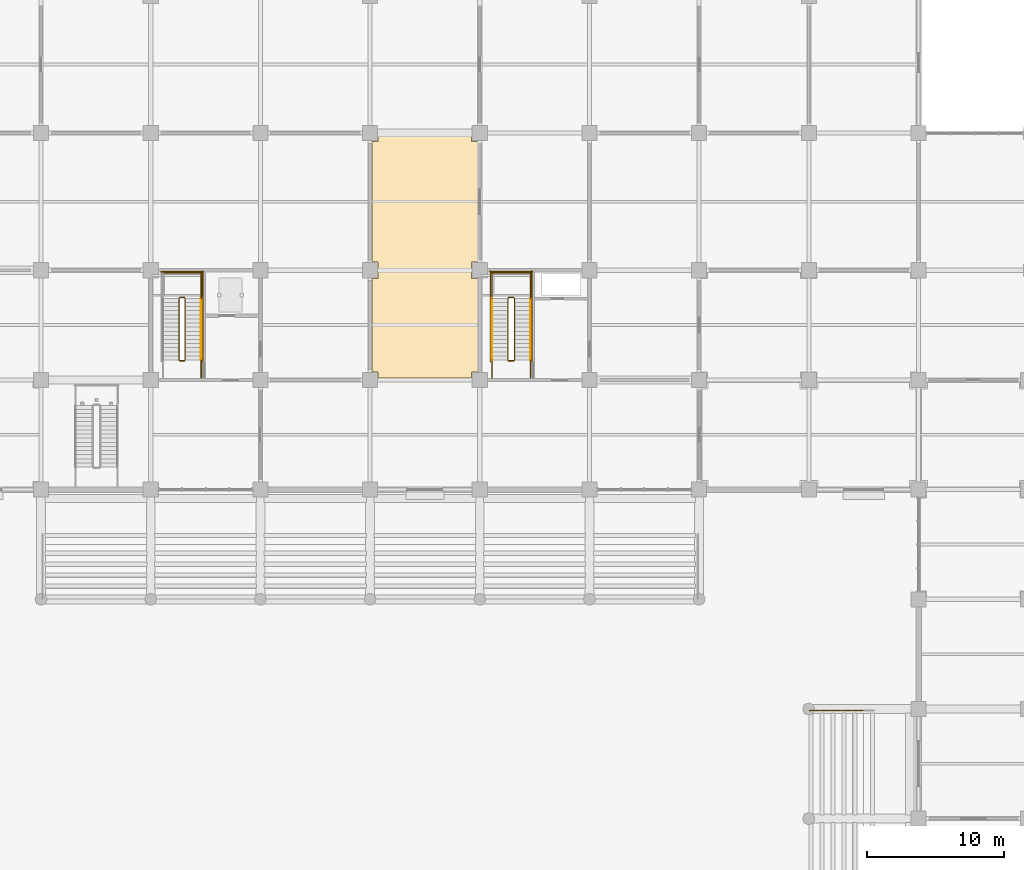
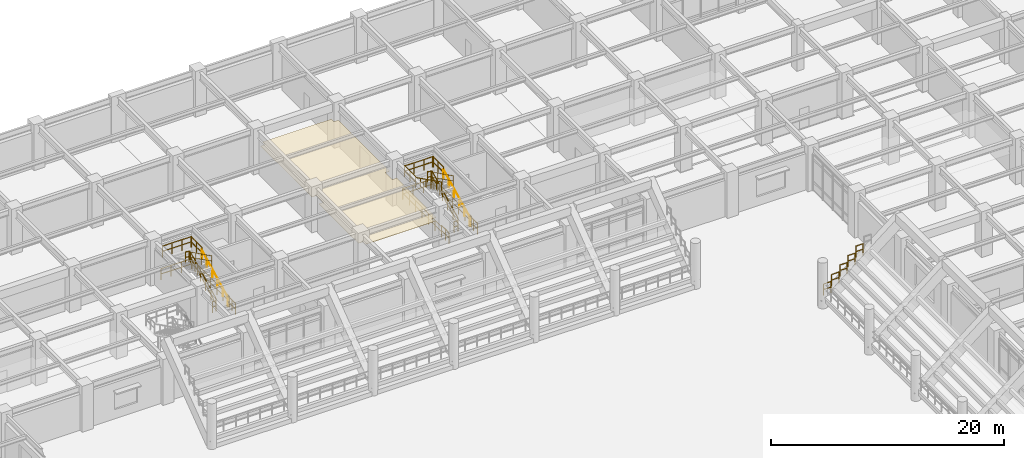
# One storey, part 122 of 125: 29 railings, 1 covering.
"""IFC4 building model written with IfcOpenShell, lengths in metres."""

from ifc_helpers import new_model, si_unit, direction, frame, origin, origin_2d, place, context, subcontext, project, spatial, polyline, circle, outline, extrude, material, layer, layer_set, type_object, element, save


model = new_model("IFC4")

# Units and contexts
model_context = context("Model", 3, precision=1e-05, world=origin(), true_north=direction((0.0, 1.0)))
body_context = subcontext(model_context, "Body", "Model", "MODEL_VIEW")
ifc_project = project(units=[si_unit("LENGTHUNIT", "METRE"), si_unit("AREAUNIT", "SQUARE_METRE"), si_unit("VOLUMEUNIT", "CUBIC_METRE"), si_unit("PLANEANGLEUNIT", "RADIAN"), si_unit("MASSUNIT", "GRAM", prefix="KILO")], contexts=[model_context])

# Site, building, storey
site_placement = place(None, origin())
site = spatial("IfcSite", under=ifc_project, at=site_placement, CompositionType="ELEMENT")
building_placement = place(site_placement, origin())
building = spatial("IfcBuilding", under=site, at=building_placement, Name="Haebicheon Civic Stadium", CompositionType="ELEMENT")
storey_placement = place(building_placement, origin())
storey = spatial("IfcBuildingStorey", under=building, at=storey_placement, Name="L01", CompositionType="ELEMENT", Elevation=0.0)

# Covering
ifc_material_1 = material(Name="Perforated mineral-fibre acoustic board", Category="gypsum")
ifc_layer = layer(ifc_material_1, 0.0400390625, Name="Perforated mineral-fibre acoustic board")
ifc_layer_set = layer_set([ifc_layer], Name="Perforated mineral-fibre acoustic board")
covering_type = type_object("IfcCoveringType", Name="COV-CLG-AC", PredefinedType="CEILING", material=ifc_layer_set)
covering_placement = place(storey_placement, frame((0.0, 0.0, 2.81005859375)))
element("IfcCovering", 1, at=covering_placement, inside=storey, type_object=covering_type, material=ifc_layer_set, Name="L01 Main Spectator Concourse acoustic ceiling", PredefinedType="CEILING", context=body_context, shape_type="SweptSolid", body=[
    extrude(outline(polyline([(104.594970703125, 160.14501953125), (104.594970703125, 160.594970703125), (104.14501953125, 160.594970703125), (104.14501953125, 167.405029296875), (104.594970703125, 167.405029296875), (104.594970703125, 168.594970703125), (104.14501953125, 168.594970703125), (104.14501953125, 177.405029296875), (104.594970703125, 177.405029296875), (104.594970703125, 177.85498046875), (111.405029296875, 177.85498046875), (111.405029296875, 177.405029296875), (111.85498046875, 177.405029296875), (111.85498046875, 168.594970703125), (111.405029296875, 168.594970703125), (111.405029296875, 167.405029296875), (111.85498046875, 167.405029296875), (111.85498046875, 160.594970703125), (111.405029296875, 160.594970703125), (111.405029296875, 160.14501953125), (104.594970703125, 160.14501953125)])), origin(), (0.0, 0.0, 1.0), 0.0400390625),
])

# Railings
ifc_material_2 = material(Name="Stainless steel 316 and laminated glass", Category="steel")
railing_type_1 = type_object("IfcRailingType", Name="RL-BAL-1200", PredefinedType="BALUSTRADE", material=ifc_material_2)
for number, where, name in (
    (2, (136.0400390625, 135.89990234375, 1.199951171875), "TIER-E-L end-aisle side guard N.1"),
    (3, (136.840087890625, 135.89990234375, 1.910888671875), "TIER-E-L end-aisle side guard N.2"),
):
    element("IfcRailing", number, at=place(storey_placement, frame(where)), inside=storey, type_object=railing_type_1, material=ifc_material_2, Name=name, PredefinedType="BALUSTRADE", context=body_context, shape_type="SweptSolid", body=[
        extrude(circle(Radius=0.02392578125, at=origin_2d()), frame((0.0, 0.0, 1.17578125), z_axis=(1.0, 0.0, 0.0), x_axis=(0.0, 1.0, 0.0)), (0.0, 0.0, 1.0), 0.719970703125),
        extrude(circle(Radius=0.02392578125, at=origin_2d()), frame((0.0, 0.0, 0.60009765625), z_axis=(1.0, 0.0, 0.0), x_axis=(0.0, 1.0, 0.0)), (0.0, 0.0, 1.0), 0.719970703125),
        extrude(circle(Radius=0.02099609375, at=origin_2d()), origin(), (0.0, 0.0, 1.0), 1.15185546875),
        extrude(circle(Radius=0.02099609375, at=origin_2d()), frame((0.719970703125, 0.0, 0.0)), (0.0, 0.0, 1.0), 1.15185546875),
    ])
railing_1_placement = place(storey_placement, frame((137.639892578125, 135.89990234375, 2.6220703125)))
element("IfcRailing", 4, at=railing_1_placement, inside=storey, type_object=railing_type_1, material=ifc_material_2, Name="TIER-E-L end-aisle side guard N.3", PredefinedType="BALUSTRADE", context=body_context, shape_type="SweptSolid", body=[
    extrude(circle(Radius=0.02392578125, at=origin_2d()), frame((0.0, 0.0, 1.17578125), z_axis=(1.0, 0.0, 0.0), x_axis=(0.0, 1.0, 0.0)), (0.0, 0.0, 1.0), 0.72021484375),
    extrude(circle(Radius=0.02392578125, at=origin_2d()), frame((0.0, 0.0, 0.60009765625), z_axis=(1.0, 0.0, 0.0), x_axis=(0.0, 1.0, 0.0)), (0.0, 0.0, 1.0), 0.72021484375),
    extrude(circle(Radius=0.02099609375, at=origin_2d()), origin(), (0.0, 0.0, 1.0), 1.15185546875),
    extrude(circle(Radius=0.02099609375, at=origin_2d()), frame((0.72021484375, 0.0, 0.0)), (0.0, 0.0, 1.0), 1.15185546875),
])
for number, where, name in (
    (5, (138.43994140625, 135.89990234375, 3.3330078125), "TIER-E-L end-aisle side guard N.4"),
    (6, (139.239990234375, 135.89990234375, 4.0439453125), "TIER-E-L end-aisle side guard N.5"),
):
    element("IfcRailing", number, at=place(storey_placement, frame(where)), inside=storey, type_object=railing_type_1, material=ifc_material_2, Name=name, PredefinedType="BALUSTRADE", context=body_context, shape_type="SweptSolid", body=[
        extrude(circle(Radius=0.02392578125, at=origin_2d()), frame((0.0, 0.0, 1.17578125), z_axis=(1.0, 0.0, 0.0), x_axis=(0.0, 1.0, 0.0)), (0.0, 0.0, 1.0), 0.719970703125),
        extrude(circle(Radius=0.02392578125, at=origin_2d()), frame((0.0, 0.0, 0.60009765625), z_axis=(1.0, 0.0, 0.0), x_axis=(0.0, 1.0, 0.0)), (0.0, 0.0, 1.0), 0.719970703125),
        extrude(circle(Radius=0.02099609375, at=origin_2d()), origin(), (0.0, 0.0, 1.0), 1.15185546875),
        extrude(circle(Radius=0.02099609375, at=origin_2d()), frame((0.719970703125, 0.0, 0.0)), (0.0, 0.0, 1.0), 1.15185546875),
    ])
ifc_material_3 = material(Name="Galvanised painted steel SM355", Category="steel")
railing_type_2 = type_object("IfcRailingType", Name="RL-GRD-1150", PredefinedType="GUARDRAIL", material=ifc_material_3)
railing_2_placement = place(storey_placement, frame((90.510009765625, 161.449951171875, 0.14990234375)))
element("IfcRailing", 7, at=railing_2_placement, inside=storey, type_object=railing_type_2, material=ifc_material_3, Name="L01 ST-08 stair guard 1", PredefinedType="GUARDRAIL", context=body_context, shape_type="SweptSolid", body=[
    extrude(circle(Radius=0.02392578125, at=origin_2d()), frame((0.0, 0.0, 1.1259765625), z_axis=(0.0, 0.894427191, 0.4472135955), x_axis=(-1.0, 0.0, 0.0)), (0.0, 0.0, 1.0), 5.03125),
    extrude(circle(Radius=0.02392578125, at=origin_2d()), frame((0.0, 0.0, 0.574951171875), z_axis=(0.0, 0.894427191, 0.4472135955), x_axis=(-1.0, 0.0, 0.0)), (0.0, 0.0, 1.0), 5.03125),
    extrude(circle(Radius=0.02099609375, at=origin_2d()), origin(), (0.0, 0.0, 1.0), 1.101806640625),
    extrude(circle(Radius=0.02099609375, at=origin_2d()), frame((0.0, 0.89990234375, 0.449951171875)), (0.0, 0.0, 1.0), 1.101806640625),
    extrude(circle(Radius=0.02099609375, at=origin_2d()), frame((0.0, 1.800048828125, 0.89990234375)), (0.0, 0.0, 1.0), 1.101806640625),
    extrude(circle(Radius=0.02099609375, at=origin_2d()), frame((0.0, 2.699951171875, 1.35009765625)), (0.0, 0.0, 1.0), 1.101806640625),
    extrude(circle(Radius=0.02099609375, at=origin_2d()), frame((0.0, 3.60009765625, 1.800048828125)), (0.0, 0.0, 1.0), 1.101806640625),
    extrude(circle(Radius=0.02099609375, at=origin_2d()), frame((0.0, 4.5, 2.25)), (0.0, 0.0, 1.0), 1.101806640625),
])
railing_3_placement = place(storey_placement, frame((90.4599609375, 166.0, 2.39990234375)))
element("IfcRailing", 8, at=railing_3_placement, inside=storey, type_object=railing_type_2, material=ifc_material_3, Name="L01 ST-08 stair guard 2", PredefinedType="GUARDRAIL", context=body_context, shape_type="SweptSolid", body=[
    extrude(circle(Radius=0.02392578125, at=origin_2d()), frame((0.0, 0.0, 1.1259765625), z_axis=(-1.0, 0.0, 0.0), x_axis=(0.0, -1.0, 0.0)), (0.0, 0.0, 1.0), 0.33984375),
    extrude(circle(Radius=0.02392578125, at=origin_2d()), frame((0.0, 0.0, 0.574951171875), z_axis=(-1.0, 0.0, 0.0), x_axis=(0.0, -1.0, 0.0)), (0.0, 0.0, 1.0), 0.33984375),
    extrude(circle(Radius=0.02099609375, at=origin_2d()), origin(), (0.0, 0.0, 1.0), 1.101806640625),
    extrude(circle(Radius=0.02099609375, at=origin_2d()), frame((-0.33984375, 0.0, 0.0)), (0.0, 0.0, 1.0), 1.101806640625),
])
railing_4_placement = place(storey_placement, frame((91.68994140625, 165.949951171875, 2.39990234375)))
element("IfcRailing", 9, at=railing_4_placement, inside=storey, type_object=railing_type_2, material=ifc_material_3, Name="L01 ST-08 stair guard 3", PredefinedType="GUARDRAIL", context=body_context, shape_type="SweptSolid", body=[
    extrude(circle(Radius=0.02392578125, at=origin_2d()), frame((0.0, 0.0, 1.1259765625), z_axis=(0.0, 1.0, 0.0), x_axis=(-1.0, 0.0, 0.0)), (0.0, 0.0, 1.0), 1.89013671875),
    extrude(circle(Radius=0.02392578125, at=origin_2d()), frame((0.0, 0.0, 0.574951171875), z_axis=(0.0, 1.0, 0.0), x_axis=(-1.0, 0.0, 0.0)), (0.0, 0.0, 1.0), 1.89013671875),
    extrude(circle(Radius=0.02099609375, at=origin_2d()), origin(), (0.0, 0.0, 1.0), 1.101806640625),
    extrude(circle(Radius=0.02099609375, at=origin_2d()), frame((0.0, 0.945068359375, 0.0)), (0.0, 0.0, 1.0), 1.101806640625),
    extrude(circle(Radius=0.02099609375, at=origin_2d()), frame((0.0, 1.89013671875, 0.0)), (0.0, 0.0, 1.0), 1.101806640625),
])
railing_5_placement = place(storey_placement, frame((91.739990234375, 167.7900390625, 2.39990234375)))
element("IfcRailing", 10, at=railing_5_placement, inside=storey, type_object=railing_type_2, material=ifc_material_3, Name="L01 ST-08 stair guard 5", PredefinedType="GUARDRAIL", context=body_context, shape_type="SweptSolid", body=[
    extrude(circle(Radius=0.02392578125, at=origin_2d()), frame((0.0, 0.0, 1.1259765625), z_axis=(-1.0, 0.0, 0.0), x_axis=(0.0, -1.0, 0.0)), (0.0, 0.0, 1.0), 2.89990234375),
    extrude(circle(Radius=0.02392578125, at=origin_2d()), frame((0.0, 0.0, 0.574951171875), z_axis=(-1.0, 0.0, 0.0), x_axis=(0.0, -1.0, 0.0)), (0.0, 0.0, 1.0), 2.89990234375),
    extrude(circle(Radius=0.02099609375, at=origin_2d()), origin(), (0.0, 0.0, 1.0), 1.101806640625),
    extrude(circle(Radius=0.02099609375, at=origin_2d()), frame((-0.966552734375, 0.0, 0.0)), (0.0, 0.0, 1.0), 1.101806640625),
    extrude(circle(Radius=0.02099609375, at=origin_2d()), frame((-1.933349609375, 0.0, 0.0)), (0.0, 0.0, 1.0), 1.101806640625),
    extrude(circle(Radius=0.02099609375, at=origin_2d()), frame((-2.89990234375, 0.0, 0.0)), (0.0, 0.0, 1.0), 1.101806640625),
])
railing_6_placement = place(storey_placement, frame((90.070068359375, 165.949951171875, 2.550048828125)))
element("IfcRailing", 11, at=railing_6_placement, inside=storey, type_object=railing_type_2, material=ifc_material_3, Name="L01 ST-08 stair guard 6", PredefinedType="GUARDRAIL", context=body_context, shape_type="SweptSolid", body=[
    extrude(circle(Radius=0.02392578125, at=origin_2d()), frame((0.0, 0.0, 1.1259765625), z_axis=(0.0, -0.894427191, 0.4472135955), x_axis=(1.0, 0.0, 0.0)), (0.0, 0.0, 1.0), 5.03125),
    extrude(circle(Radius=0.02392578125, at=origin_2d()), frame((0.0, 0.0, 0.574951171875), z_axis=(0.0, -0.894427191, 0.4472135955), x_axis=(1.0, 0.0, 0.0)), (0.0, 0.0, 1.0), 5.03125),
    extrude(circle(Radius=0.02099609375, at=origin_2d()), origin(), (0.0, 0.0, 1.0), 1.101806640625),
    extrude(circle(Radius=0.02099609375, at=origin_2d()), frame((0.0, -0.89990234375, 0.449951171875)), (0.0, 0.0, 1.0), 1.101806640625),
    extrude(circle(Radius=0.02099609375, at=origin_2d()), frame((0.0, -1.800048828125, 0.89990234375)), (0.0, 0.0, 1.0), 1.101806640625),
    extrude(circle(Radius=0.02099609375, at=origin_2d()), frame((0.0, -2.699951171875, 1.35009765625)), (0.0, 0.0, 1.0), 1.101806640625),
    extrude(circle(Radius=0.02099609375, at=origin_2d()), frame((0.0, -3.60009765625, 1.800048828125)), (0.0, 0.0, 1.0), 1.101806640625),
    extrude(circle(Radius=0.02099609375, at=origin_2d()), frame((0.0, -4.5, 2.25)), (0.0, 0.0, 1.0), 1.101806640625),
])
railing_7_placement = place(storey_placement, frame((90.4599609375, 161.39990234375, 0.0)))
element("IfcRailing", 12, at=railing_7_placement, inside=storey, type_object=railing_type_2, material=ifc_material_3, Name="L01 ST-08 stair guard 7", PredefinedType="GUARDRAIL", context=body_context, shape_type="SweptSolid", body=[
    extrude(circle(Radius=0.02392578125, at=origin_2d()), frame((0.0, 0.0, 1.1259765625), z_axis=(-1.0, 0.0, 0.0), x_axis=(0.0, -1.0, 0.0)), (0.0, 0.0, 1.0), 0.33984375),
    extrude(circle(Radius=0.02392578125, at=origin_2d()), frame((0.0, 0.0, 0.574951171875), z_axis=(-1.0, 0.0, 0.0), x_axis=(0.0, -1.0, 0.0)), (0.0, 0.0, 1.0), 0.33984375),
    extrude(circle(Radius=0.02099609375, at=origin_2d()), origin(), (0.0, 0.0, 1.0), 1.101806640625),
    extrude(circle(Radius=0.02099609375, at=origin_2d()), frame((-0.33984375, 0.0, 0.0)), (0.0, 0.0, 1.0), 1.101806640625),
])
railing_8_placement = place(storey_placement, frame((91.68994140625, 160.159912109375, 0.0)))
element("IfcRailing", 13, at=railing_8_placement, inside=storey, type_object=railing_type_2, material=ifc_material_3, Name="L01 ST-08 stair guard 8", PredefinedType="GUARDRAIL", context=body_context, shape_type="SweptSolid", body=[
    extrude(circle(Radius=0.02392578125, at=origin_2d()), frame((0.0, 0.0, 1.1259765625), z_axis=(0.0, 1.0, 0.0), x_axis=(-1.0, 0.0, 0.0)), (0.0, 0.0, 1.0), 1.2900390625),
    extrude(circle(Radius=0.02392578125, at=origin_2d()), frame((0.0, 0.0, 0.574951171875), z_axis=(0.0, 1.0, 0.0), x_axis=(-1.0, 0.0, 0.0)), (0.0, 0.0, 1.0), 1.2900390625),
    extrude(circle(Radius=0.02099609375, at=origin_2d()), origin(), (0.0, 0.0, 1.0), 1.101806640625),
    extrude(circle(Radius=0.02099609375, at=origin_2d()), frame((0.0, 0.64501953125, 0.0)), (0.0, 0.0, 1.0), 1.101806640625),
    extrude(circle(Radius=0.02099609375, at=origin_2d()), frame((0.0, 1.2900390625, 0.0)), (0.0, 0.0, 1.0), 1.101806640625),
])
railing_9_placement = place(storey_placement, frame((91.7900390625, 161.35009765625, 0.0)))
element("IfcRailing", 14, at=railing_9_placement, inside=storey, type_object=railing_type_2, material=ifc_material_3, Name="L01 ST-08 stair guard 10", PredefinedType="GUARDRAIL", context=body_context, shape_type="SweptSolid", body=[
    extrude(circle(Radius=0.02392578125, at=origin_2d()), frame((0.0, 0.0, 1.1259765625), z_axis=(0.0, 1.0, 0.0), x_axis=(-1.0, 0.0, 0.0)), (0.0, 0.0, 1.0), 6.58984375),
    extrude(circle(Radius=0.02392578125, at=origin_2d()), frame((0.0, 0.0, 0.574951171875), z_axis=(0.0, 1.0, 0.0), x_axis=(-1.0, 0.0, 0.0)), (0.0, 0.0, 1.0), 6.58984375),
    extrude(circle(Radius=0.02099609375, at=origin_2d()), origin(), (0.0, 0.0, 1.0), 1.101806640625),
    extrude(circle(Radius=0.02099609375, at=origin_2d()), frame((0.0, 1.098388671875, 0.0)), (0.0, 0.0, 1.0), 1.101806640625),
    extrude(circle(Radius=0.02099609375, at=origin_2d()), frame((0.0, 2.196533203125, 0.0)), (0.0, 0.0, 1.0), 1.101806640625),
    extrude(circle(Radius=0.02099609375, at=origin_2d()), frame((0.0, 3.294921875, 0.0)), (0.0, 0.0, 1.0), 1.101806640625),
    extrude(circle(Radius=0.02099609375, at=origin_2d()), frame((0.0, 4.393310546875, 0.0)), (0.0, 0.0, 1.0), 1.101806640625),
    extrude(circle(Radius=0.02099609375, at=origin_2d()), frame((0.0, 5.491455078125, 0.0)), (0.0, 0.0, 1.0), 1.101806640625),
    extrude(circle(Radius=0.02099609375, at=origin_2d()), frame((0.0, 6.58984375, 0.0)), (0.0, 0.0, 1.0), 1.101806640625),
])
railing_10_placement = place(storey_placement, frame((91.840087890625, 167.889892578125, 0.0)))
element("IfcRailing", 15, at=railing_10_placement, inside=storey, type_object=railing_type_2, material=ifc_material_3, Name="L01 ST-08 stair guard 12", PredefinedType="GUARDRAIL", context=body_context, shape_type="SweptSolid", body=[
    extrude(circle(Radius=0.02392578125, at=origin_2d()), frame((0.0, 0.0, 1.1259765625), z_axis=(-1.0, 0.0, 0.0), x_axis=(0.0, -1.0, 0.0)), (0.0, 0.0, 1.0), 3.10009765625),
    extrude(circle(Radius=0.02392578125, at=origin_2d()), frame((0.0, 0.0, 0.574951171875), z_axis=(-1.0, 0.0, 0.0), x_axis=(0.0, -1.0, 0.0)), (0.0, 0.0, 1.0), 3.10009765625),
    extrude(circle(Radius=0.02099609375, at=origin_2d()), origin(), (0.0, 0.0, 1.0), 1.101806640625),
    extrude(circle(Radius=0.02099609375, at=origin_2d()), frame((-1.033447265625, 0.0, 0.0)), (0.0, 0.0, 1.0), 1.101806640625),
    extrude(circle(Radius=0.02099609375, at=origin_2d()), frame((-2.066650390625, 0.0, 0.0)), (0.0, 0.0, 1.0), 1.101806640625),
    extrude(circle(Radius=0.02099609375, at=origin_2d()), frame((-3.10009765625, 0.0, 0.0)), (0.0, 0.0, 1.0), 1.101806640625),
])
railing_11_placement = place(storey_placement, frame((114.530029296875, 161.449951171875, 0.14990234375)))
element("IfcRailing", 16, at=railing_11_placement, inside=storey, type_object=railing_type_2, material=ifc_material_3, Name="L01 ST-09 stair guard 1", PredefinedType="GUARDRAIL", context=body_context, shape_type="SweptSolid", body=[
    extrude(circle(Radius=0.02392578125, at=origin_2d()), frame((0.0, 0.0, 1.1259765625), z_axis=(0.0, 0.894427191, 0.4472135955), x_axis=(-1.0, 0.0, 0.0)), (0.0, 0.0, 1.0), 5.03125),
    extrude(circle(Radius=0.02392578125, at=origin_2d()), frame((0.0, 0.0, 0.574951171875), z_axis=(0.0, 0.894427191, 0.4472135955), x_axis=(-1.0, 0.0, 0.0)), (0.0, 0.0, 1.0), 5.03125),
    extrude(circle(Radius=0.02099609375, at=origin_2d()), origin(), (0.0, 0.0, 1.0), 1.101806640625),
    extrude(circle(Radius=0.02099609375, at=origin_2d()), frame((0.0, 0.89990234375, 0.449951171875)), (0.0, 0.0, 1.0), 1.101806640625),
    extrude(circle(Radius=0.02099609375, at=origin_2d()), frame((0.0, 1.800048828125, 0.89990234375)), (0.0, 0.0, 1.0), 1.101806640625),
    extrude(circle(Radius=0.02099609375, at=origin_2d()), frame((0.0, 2.699951171875, 1.35009765625)), (0.0, 0.0, 1.0), 1.101806640625),
    extrude(circle(Radius=0.02099609375, at=origin_2d()), frame((0.0, 3.60009765625, 1.800048828125)), (0.0, 0.0, 1.0), 1.101806640625),
    extrude(circle(Radius=0.02099609375, at=origin_2d()), frame((0.0, 4.5, 2.25)), (0.0, 0.0, 1.0), 1.101806640625),
])
railing_12_placement = place(storey_placement, frame((114.47998046875, 166.0, 2.39990234375)))
element("IfcRailing", 17, at=railing_12_placement, inside=storey, type_object=railing_type_2, material=ifc_material_3, Name="L01 ST-09 stair guard 2", PredefinedType="GUARDRAIL", context=body_context, shape_type="SweptSolid", body=[
    extrude(circle(Radius=0.02392578125, at=origin_2d()), frame((0.0, 0.0, 1.1259765625), z_axis=(-1.0, 0.0, 0.0), x_axis=(0.0, -1.0, 0.0)), (0.0, 0.0, 1.0), 0.3798828125),
    extrude(circle(Radius=0.02392578125, at=origin_2d()), frame((0.0, 0.0, 0.574951171875), z_axis=(-1.0, 0.0, 0.0), x_axis=(0.0, -1.0, 0.0)), (0.0, 0.0, 1.0), 0.3798828125),
    extrude(circle(Radius=0.02099609375, at=origin_2d()), origin(), (0.0, 0.0, 1.0), 1.101806640625),
    extrude(circle(Radius=0.02099609375, at=origin_2d()), frame((-0.3798828125, 0.0, 0.0)), (0.0, 0.0, 1.0), 1.101806640625),
])
for number, where, name in (
    (18, (115.68994140625, 165.949951171875, 2.39990234375), "L01 ST-09 stair guard 3"),
    (19, (112.889892578125, 165.949951171875, 2.39990234375), "L01 ST-09 stair guard 4"),
):
    element("IfcRailing", number, at=place(storey_placement, frame(where)), inside=storey, type_object=railing_type_2, material=ifc_material_3, Name=name, PredefinedType="GUARDRAIL", context=body_context, shape_type="SweptSolid", body=[
        extrude(circle(Radius=0.02392578125, at=origin_2d()), frame((0.0, 0.0, 1.1259765625), z_axis=(0.0, 1.0, 0.0), x_axis=(-1.0, 0.0, 0.0)), (0.0, 0.0, 1.0), 1.89013671875),
        extrude(circle(Radius=0.02392578125, at=origin_2d()), frame((0.0, 0.0, 0.574951171875), z_axis=(0.0, 1.0, 0.0), x_axis=(-1.0, 0.0, 0.0)), (0.0, 0.0, 1.0), 1.89013671875),
        extrude(circle(Radius=0.02099609375, at=origin_2d()), origin(), (0.0, 0.0, 1.0), 1.101806640625),
        extrude(circle(Radius=0.02099609375, at=origin_2d()), frame((0.0, 0.945068359375, 0.0)), (0.0, 0.0, 1.0), 1.101806640625),
        extrude(circle(Radius=0.02099609375, at=origin_2d()), frame((0.0, 1.89013671875, 0.0)), (0.0, 0.0, 1.0), 1.101806640625),
    ])
railing_13_placement = place(storey_placement, frame((115.739990234375, 167.7900390625, 2.39990234375)))
element("IfcRailing", 20, at=railing_13_placement, inside=storey, type_object=railing_type_2, material=ifc_material_3, Name="L01 ST-09 stair guard 5", PredefinedType="GUARDRAIL", context=body_context, shape_type="SweptSolid", body=[
    extrude(circle(Radius=0.02392578125, at=origin_2d()), frame((0.0, 0.0, 1.1259765625), z_axis=(-1.0, 0.0, 0.0), x_axis=(0.0, -1.0, 0.0)), (0.0, 0.0, 1.0), 2.89990234375),
    extrude(circle(Radius=0.02392578125, at=origin_2d()), frame((0.0, 0.0, 0.574951171875), z_axis=(-1.0, 0.0, 0.0), x_axis=(0.0, -1.0, 0.0)), (0.0, 0.0, 1.0), 2.89990234375),
    extrude(circle(Radius=0.02099609375, at=origin_2d()), origin(), (0.0, 0.0, 1.0), 1.101806640625),
    extrude(circle(Radius=0.02099609375, at=origin_2d()), frame((-0.966552734375, 0.0, 0.0)), (0.0, 0.0, 1.0), 1.101806640625),
    extrude(circle(Radius=0.02099609375, at=origin_2d()), frame((-1.933349609375, 0.0, 0.0)), (0.0, 0.0, 1.0), 1.101806640625),
    extrude(circle(Radius=0.02099609375, at=origin_2d()), frame((-2.89990234375, 0.0, 0.0)), (0.0, 0.0, 1.0), 1.101806640625),
])
railing_14_placement = place(storey_placement, frame((114.050048828125, 165.949951171875, 2.550048828125)))
element("IfcRailing", 21, at=railing_14_placement, inside=storey, type_object=railing_type_2, material=ifc_material_3, Name="L01 ST-09 stair guard 6", PredefinedType="GUARDRAIL", context=body_context, shape_type="SweptSolid", body=[
    extrude(circle(Radius=0.02392578125, at=origin_2d()), frame((0.0, 0.0, 1.1259765625), z_axis=(0.0, -0.894427191, 0.4472135955), x_axis=(1.0, 0.0, 0.0)), (0.0, 0.0, 1.0), 5.03125),
    extrude(circle(Radius=0.02392578125, at=origin_2d()), frame((0.0, 0.0, 0.574951171875), z_axis=(0.0, -0.894427191, 0.4472135955), x_axis=(1.0, 0.0, 0.0)), (0.0, 0.0, 1.0), 5.03125),
    extrude(circle(Radius=0.02099609375, at=origin_2d()), origin(), (0.0, 0.0, 1.0), 1.101806640625),
    extrude(circle(Radius=0.02099609375, at=origin_2d()), frame((0.0, -0.89990234375, 0.449951171875)), (0.0, 0.0, 1.0), 1.101806640625),
    extrude(circle(Radius=0.02099609375, at=origin_2d()), frame((0.0, -1.800048828125, 0.89990234375)), (0.0, 0.0, 1.0), 1.101806640625),
    extrude(circle(Radius=0.02099609375, at=origin_2d()), frame((0.0, -2.699951171875, 1.35009765625)), (0.0, 0.0, 1.0), 1.101806640625),
    extrude(circle(Radius=0.02099609375, at=origin_2d()), frame((0.0, -3.60009765625, 1.800048828125)), (0.0, 0.0, 1.0), 1.101806640625),
    extrude(circle(Radius=0.02099609375, at=origin_2d()), frame((0.0, -4.5, 2.25)), (0.0, 0.0, 1.0), 1.101806640625),
])
railing_15_placement = place(storey_placement, frame((114.47998046875, 161.39990234375, 0.0)))
element("IfcRailing", 22, at=railing_15_placement, inside=storey, type_object=railing_type_2, material=ifc_material_3, Name="L01 ST-09 stair guard 7", PredefinedType="GUARDRAIL", context=body_context, shape_type="SweptSolid", body=[
    extrude(circle(Radius=0.02392578125, at=origin_2d()), frame((0.0, 0.0, 1.1259765625), z_axis=(-1.0, 0.0, 0.0), x_axis=(0.0, -1.0, 0.0)), (0.0, 0.0, 1.0), 0.3798828125),
    extrude(circle(Radius=0.02392578125, at=origin_2d()), frame((0.0, 0.0, 0.574951171875), z_axis=(-1.0, 0.0, 0.0), x_axis=(0.0, -1.0, 0.0)), (0.0, 0.0, 1.0), 0.3798828125),
    extrude(circle(Radius=0.02099609375, at=origin_2d()), origin(), (0.0, 0.0, 1.0), 1.101806640625),
    extrude(circle(Radius=0.02099609375, at=origin_2d()), frame((-0.3798828125, 0.0, 0.0)), (0.0, 0.0, 1.0), 1.101806640625),
])
for number, where, name in (
    (23, (115.68994140625, 160.159912109375, 0.0), "L01 ST-09 stair guard 8"),
    (24, (112.889892578125, 160.159912109375, 0.0), "L01 ST-09 stair guard 9"),
):
    element("IfcRailing", number, at=place(storey_placement, frame(where)), inside=storey, type_object=railing_type_2, material=ifc_material_3, Name=name, PredefinedType="GUARDRAIL", context=body_context, shape_type="SweptSolid", body=[
        extrude(circle(Radius=0.02392578125, at=origin_2d()), frame((0.0, 0.0, 1.1259765625), z_axis=(0.0, 1.0, 0.0), x_axis=(-1.0, 0.0, 0.0)), (0.0, 0.0, 1.0), 1.2900390625),
        extrude(circle(Radius=0.02392578125, at=origin_2d()), frame((0.0, 0.0, 0.574951171875), z_axis=(0.0, 1.0, 0.0), x_axis=(-1.0, 0.0, 0.0)), (0.0, 0.0, 1.0), 1.2900390625),
        extrude(circle(Radius=0.02099609375, at=origin_2d()), origin(), (0.0, 0.0, 1.0), 1.101806640625),
        extrude(circle(Radius=0.02099609375, at=origin_2d()), frame((0.0, 0.64501953125, 0.0)), (0.0, 0.0, 1.0), 1.101806640625),
        extrude(circle(Radius=0.02099609375, at=origin_2d()), frame((0.0, 1.2900390625, 0.0)), (0.0, 0.0, 1.0), 1.101806640625),
    ])
for number, where, name in (
    (25, (115.7900390625, 161.35009765625, 0.0), "L01 ST-09 stair guard 10"),
    (26, (112.7900390625, 161.35009765625, 0.0), "L01 ST-09 stair guard 11"),
):
    element("IfcRailing", number, at=place(storey_placement, frame(where)), inside=storey, type_object=railing_type_2, material=ifc_material_3, Name=name, PredefinedType="GUARDRAIL", context=body_context, shape_type="SweptSolid", body=[
        extrude(circle(Radius=0.02392578125, at=origin_2d()), frame((0.0, 0.0, 1.1259765625), z_axis=(0.0, 1.0, 0.0), x_axis=(-1.0, 0.0, 0.0)), (0.0, 0.0, 1.0), 6.58984375),
        extrude(circle(Radius=0.02392578125, at=origin_2d()), frame((0.0, 0.0, 0.574951171875), z_axis=(0.0, 1.0, 0.0), x_axis=(-1.0, 0.0, 0.0)), (0.0, 0.0, 1.0), 6.58984375),
        extrude(circle(Radius=0.02099609375, at=origin_2d()), origin(), (0.0, 0.0, 1.0), 1.101806640625),
        extrude(circle(Radius=0.02099609375, at=origin_2d()), frame((0.0, 1.098388671875, 0.0)), (0.0, 0.0, 1.0), 1.101806640625),
        extrude(circle(Radius=0.02099609375, at=origin_2d()), frame((0.0, 2.196533203125, 0.0)), (0.0, 0.0, 1.0), 1.101806640625),
        extrude(circle(Radius=0.02099609375, at=origin_2d()), frame((0.0, 3.294921875, 0.0)), (0.0, 0.0, 1.0), 1.101806640625),
        extrude(circle(Radius=0.02099609375, at=origin_2d()), frame((0.0, 4.393310546875, 0.0)), (0.0, 0.0, 1.0), 1.101806640625),
        extrude(circle(Radius=0.02099609375, at=origin_2d()), frame((0.0, 5.491455078125, 0.0)), (0.0, 0.0, 1.0), 1.101806640625),
        extrude(circle(Radius=0.02099609375, at=origin_2d()), frame((0.0, 6.58984375, 0.0)), (0.0, 0.0, 1.0), 1.101806640625),
    ])
railing_16_placement = place(storey_placement, frame((115.840087890625, 167.889892578125, 0.0)))
element("IfcRailing", 27, at=railing_16_placement, inside=storey, type_object=railing_type_2, material=ifc_material_3, Name="L01 ST-09 stair guard 12", PredefinedType="GUARDRAIL", context=body_context, shape_type="SweptSolid", body=[
    extrude(circle(Radius=0.02392578125, at=origin_2d()), frame((0.0, 0.0, 1.1259765625), z_axis=(-1.0, 0.0, 0.0), x_axis=(0.0, -1.0, 0.0)), (0.0, 0.0, 1.0), 3.10009765625),
    extrude(circle(Radius=0.02392578125, at=origin_2d()), frame((0.0, 0.0, 0.574951171875), z_axis=(-1.0, 0.0, 0.0), x_axis=(0.0, -1.0, 0.0)), (0.0, 0.0, 1.0), 3.10009765625),
    extrude(circle(Radius=0.02099609375, at=origin_2d()), origin(), (0.0, 0.0, 1.0), 1.101806640625),
    extrude(circle(Radius=0.02099609375, at=origin_2d()), frame((-1.033447265625, 0.0, 0.0)), (0.0, 0.0, 1.0), 1.101806640625),
    extrude(circle(Radius=0.02099609375, at=origin_2d()), frame((-2.066650390625, 0.0, 0.0)), (0.0, 0.0, 1.0), 1.101806640625),
    extrude(circle(Radius=0.02099609375, at=origin_2d()), frame((-3.10009765625, 0.0, 0.0)), (0.0, 0.0, 1.0), 1.101806640625),
])
ifc_material_4 = material(Name="Stainless steel 316", Category="steel")
railing_type_3 = type_object("IfcRailingType", Name="RL-HND-900", PredefinedType="HANDRAIL", material=ifc_material_4)
for number, where, name in (
    (28, (91.68994140625, 161.449951171875, 0.14990234375), "L01 ST-08 stair handrail 1"),
    (29, (115.68994140625, 161.449951171875, 0.14990234375), "L01 ST-09 stair handrail 1"),
):
    element("IfcRailing", number, at=place(storey_placement, frame(where)), inside=storey, type_object=railing_type_3, material=ifc_material_4, Name=name, PredefinedType="HANDRAIL", context=body_context, shape_type="SweptSolid", body=[
        extrude(circle(Radius=0.02392578125, at=origin_2d()), frame((0.0, 0.0, 0.8759765625), z_axis=(0.0, 0.894427191, 0.4472135955), x_axis=(-1.0, 0.0, 0.0)), (0.0, 0.0, 1.0), 5.03125),
        extrude(circle(Radius=0.02099609375, at=origin_2d()), origin(), (0.0, 0.0, 1.0), 0.851806640625),
        extrude(circle(Radius=0.02099609375, at=origin_2d()), frame((0.0, 0.89990234375, 0.449951171875)), (0.0, 0.0, 1.0), 0.851806640625),
        extrude(circle(Radius=0.02099609375, at=origin_2d()), frame((0.0, 1.800048828125, 0.89990234375)), (0.0, 0.0, 1.0), 0.851806640625),
        extrude(circle(Radius=0.02099609375, at=origin_2d()), frame((0.0, 2.699951171875, 1.35009765625)), (0.0, 0.0, 1.0), 0.851806640625),
        extrude(circle(Radius=0.02099609375, at=origin_2d()), frame((0.0, 3.60009765625, 1.800048828125)), (0.0, 0.0, 1.0), 0.851806640625),
        extrude(circle(Radius=0.02099609375, at=origin_2d()), frame((0.0, 4.5, 2.25)), (0.0, 0.0, 1.0), 0.851806640625),
    ])
railing_17_placement = place(storey_placement, frame((112.889892578125, 165.949951171875, 2.550048828125)))
element("IfcRailing", 30, at=railing_17_placement, inside=storey, type_object=railing_type_3, material=ifc_material_4, Name="L01 ST-09 stair handrail 2", PredefinedType="HANDRAIL", context=body_context, shape_type="SweptSolid", body=[
    extrude(circle(Radius=0.02392578125, at=origin_2d()), frame((0.0, 0.0, 0.8759765625), z_axis=(0.0, -0.894427191, 0.4472135955), x_axis=(1.0, 0.0, 0.0)), (0.0, 0.0, 1.0), 5.03125),
    extrude(circle(Radius=0.02099609375, at=origin_2d()), origin(), (0.0, 0.0, 1.0), 0.851806640625),
    extrude(circle(Radius=0.02099609375, at=origin_2d()), frame((0.0, -0.89990234375, 0.449951171875)), (0.0, 0.0, 1.0), 0.851806640625),
    extrude(circle(Radius=0.02099609375, at=origin_2d()), frame((0.0, -1.800048828125, 0.89990234375)), (0.0, 0.0, 1.0), 0.851806640625),
    extrude(circle(Radius=0.02099609375, at=origin_2d()), frame((0.0, -2.699951171875, 1.35009765625)), (0.0, 0.0, 1.0), 0.851806640625),
    extrude(circle(Radius=0.02099609375, at=origin_2d()), frame((0.0, -3.60009765625, 1.800048828125)), (0.0, 0.0, 1.0), 0.851806640625),
    extrude(circle(Radius=0.02099609375, at=origin_2d()), frame((0.0, -4.5, 2.25)), (0.0, 0.0, 1.0), 0.851806640625),
])

save(model, "model.ifc")
